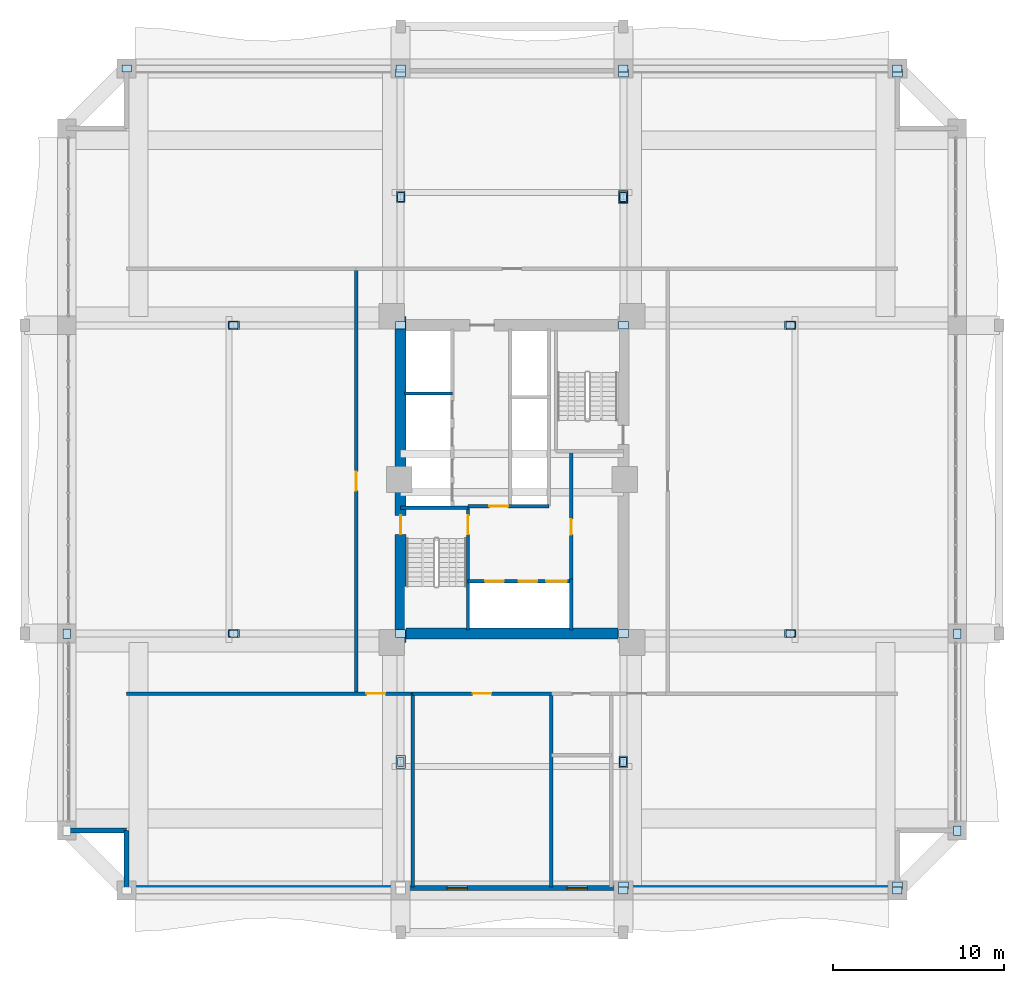
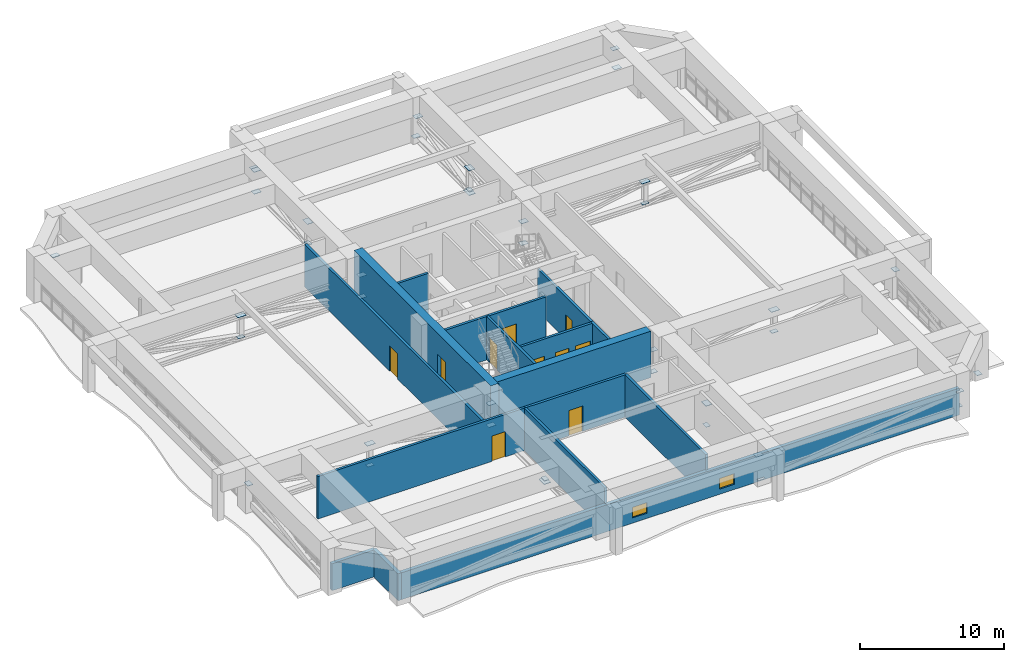
# One storey, part 28 of 35: 40 plates, 17 walls, 10 doors, 2 windows, 12 openings.
"""IFC4 building model written with IfcOpenShell, lengths in metres."""

from ifc_helpers import new_model, si_unit, direction, frame, frame_2d, origin, origin_2d, place, context, subcontext, project, spatial, rectangle, extrude, source, transform, mapped, material, layer, layer_set, type_object, element, fill, save


model = new_model("IFC4")

# Units and contexts
model_context = context("Model", 3, precision=1e-05, world=origin(), true_north=direction((0.0, 1.0)))
body_context = subcontext(model_context, "Body", "Model", "MODEL_VIEW")
ifc_project = project(units=[si_unit("LENGTHUNIT", "METRE"), si_unit("AREAUNIT", "SQUARE_METRE"), si_unit("VOLUMEUNIT", "CUBIC_METRE"), si_unit("PLANEANGLEUNIT", "RADIAN"), si_unit("MASSUNIT", "GRAM", prefix="KILO")], contexts=[model_context])

# Site, building, storey
site_placement = place(None, origin())
site = spatial("IfcSite", under=ifc_project, at=site_placement, CompositionType="ELEMENT")
building_placement = place(site_placement, origin())
building = spatial("IfcBuilding", under=site, at=building_placement, Name="Saelheon Loggia Tower", CompositionType="ELEMENT")
storey_placement = place(building_placement, frame((0.0, 0.0, 70.39990234375)))
storey = spatial("IfcBuildingStorey", under=building, at=storey_placement, Name="L22", CompositionType="ELEMENT", Elevation=70.39990234375)

# Plates
ifc_material_1 = material(Name="Steel SM355", Category="steel")
ifc_layer_1 = layer(ifc_material_1, 0.028076171875)
ifc_layer_set_1 = layer_set([ifc_layer_1], Name="Steel SM355")
plate_type_1 = type_object("IfcPlateType", Name="Plate_Gusset_GS1", PredefinedType="SHEET", material=ifc_layer_set_1)
shared_shape_1 = source(origin(), body_context, "Body", "SweptSolid", [
    extrude(rectangle(XDim=0.679931640625, YDim=0.47998046875, at=origin_2d()), origin(), (0.0, 0.0, 1.0), 0.028076171875),
])
for number, where, z_axis, x_axis, name in (
    (1, (44.5, 10.5, 2.05615234375), (0.0, 0.0, 1.0), (0.0, 1.0, 0.0), "L22 Outrigger Node Gusset SE-S"),
    (2, (31.5, 43.5, 2.05615234375), (0.0, 0.0, 1.0), (0.0, 1.0, 0.0), "L22 Outrigger Node Gusset NW-N"),
    (3, (44.5, 43.5, 2.05615234375), (0.0, 0.0, 1.0), (0.0, 1.0, 0.0), "L22 Outrigger Node Gusset NE-N"),
    (4, (21.75, 18.0, 2.05615234375), (0.0, 0.0, 1.0), (1.0, 0.0, 0.0), "L22 Outrigger Node Gusset SW-W"),
    (5, (21.75, 36.0, 2.05615234375), (0.0, 0.0, 1.0), (1.0, 0.0, 0.0), "L22 Outrigger Node Gusset NW-W"),
    (6, (54.25, 18.0, 2.05615234375), (0.0, 0.0, 1.0), (1.0, 0.0, 0.0), "L22 Outrigger Node Gusset SE-E"),
    (7, (54.25, 36.0, 2.05615234375), (0.0, 0.0, 1.0), (1.0, 0.0, 0.0), "L22 Outrigger Node Gusset NE-E"),
):
    element("IfcPlate", number, at=place(storey_placement, frame(where, z_axis=z_axis, x_axis=x_axis)), inside=storey, type_object=plate_type_1, Name=name, PredefinedType="SHEET", context=body_context, shape_type="MappedRepresentation", body=[
        mapped(shared_shape_1, transform((0.0, 0.0, 0.0), scale=1.0)),
    ])
ifc_layer_2 = layer(ifc_material_1, 0.02197265625)
ifc_layer_set_2 = layer_set([ifc_layer_2], Name="Steel SM355")
plate_type_2 = type_object("IfcPlateType", Name="Plate_Stiffener_SP1", PredefinedType="USERDEFINED", material=ifc_layer_set_2)
shared_shape_2 = source(origin(), body_context, "Body", "SweptSolid", [
    extrude(rectangle(XDim=0.52001953125, YDim=0.360107421875, at=origin_2d()), origin(), (0.0, 0.0, 1.0), 0.02197265625),
])
for number, where, z_axis, x_axis, name in (
    (8, (31.5, 10.5, 0.209228515625), (0.0, 0.0, 1.0), (0.0, 1.0, 0.0), "L22 Outrigger Stiffener Plate SW-S"),
    (9, (44.5, 10.5, 0.209228515625), (0.0, 0.0, 1.0), (0.0, 1.0, 0.0), "L22 Outrigger Stiffener Plate SE-S"),
    (10, (31.5, 43.5, 0.209228515625), (0.0, 0.0, 1.0), (0.0, 1.0, 0.0), "L22 Outrigger Stiffener Plate NW-N"),
    (11, (44.5, 43.5, 0.209228515625), (0.0, 0.0, 1.0), (0.0, 1.0, 0.0), "L22 Outrigger Stiffener Plate NE-N"),
    (12, (21.75, 18.0, 0.209228515625), (0.0, 0.0, 1.0), (1.0, 0.0, 0.0), "L22 Outrigger Stiffener Plate SW-W"),
    (13, (21.75, 36.0, 0.209228515625), (0.0, 0.0, 1.0), (1.0, 0.0, 0.0), "L22 Outrigger Stiffener Plate NW-W"),
    (14, (54.25, 18.0, 0.209228515625), (0.0, 0.0, 1.0), (1.0, 0.0, 0.0), "L22 Outrigger Stiffener Plate SE-E"),
    (15, (54.25, 36.0, 0.209228515625), (0.0, 0.0, 1.0), (1.0, 0.0, 0.0), "L22 Outrigger Stiffener Plate NE-E"),
):
    element("IfcPlate", number, at=place(storey_placement, frame(where, z_axis=z_axis, x_axis=x_axis)), inside=storey, type_object=plate_type_2, Name=name, ObjectType="STIFFENER_PLATE", PredefinedType="USERDEFINED", context=body_context, shape_type="MappedRepresentation", body=[
        mapped(shared_shape_2, transform((0.0, 0.0, 0.0), scale=1.0)),
    ])
ifc_layer_3 = layer(ifc_material_1, 0.031982421875)
ifc_layer_set_3 = layer_set([ifc_layer_3], Name="Steel SM355")
plate_type_3 = type_object("IfcPlateType", Name="Outrigger_BasePlate_BP2", PredefinedType="USERDEFINED", material=ifc_layer_set_3)
shared_shape_3 = source(origin(), body_context, "Body", "SweptSolid", [
    extrude(rectangle(XDim=0.760009765625, YDim=0.5400390625, at=origin_2d()), origin(), (0.0, 0.0, 1.0), 0.031982421875),
])
for number, where, z_axis, x_axis, name in (
    (16, (31.5, 10.5, 0.0), (0.0, 0.0, 1.0), (0.0, 1.0, 0.0), "L22 Outrigger Post Base Plate SW-S"),
    (17, (44.5, 43.5, 0.0), (0.0, 0.0, 1.0), (0.0, 1.0, 0.0), "L22 Outrigger Post Base Plate NE-N"),
):
    element("IfcPlate", number, at=place(storey_placement, frame(where, z_axis=z_axis, x_axis=x_axis)), inside=storey, type_object=plate_type_3, Name=name, ObjectType="BASE_PLATE", PredefinedType="USERDEFINED", context=body_context, shape_type="MappedRepresentation", body=[
        mapped(shared_shape_3, transform((0.0, 0.0, 0.0), scale=1.0)),
    ])
ifc_layer_4 = layer(ifc_material_1, 0.02587890625)
ifc_layer_set_4 = layer_set([ifc_layer_4], Name="Steel SM355")
plate_type_4 = type_object("IfcPlateType", Name="Plate_Embed_EP1", PredefinedType="SHEET", material=ifc_layer_set_4)
shared_shape_4 = source(origin(), body_context, "Body", "SweptSolid", [
    extrude(rectangle(XDim=0.580078125, YDim=0.4599609375, at=origin_2d()), origin(), (0.0, 0.0, 1.0), 0.02587890625),
])
for number, where, z_axis, x_axis, name in (
    (18, (31.5, 18.0, 0.207275390625), (0.0, 0.0, 1.0), (1.0, 0.0, 0.0), "L22 Core Wall Outrigger Cast-In Embed Plate SW-B"),
    (19, (31.5, 18.0, 2.05712890625), (0.0, 0.0, 1.0), (1.0, 0.0, 0.0), "L22 Core Wall Outrigger Cast-In Embed Plate SW-T"),
    (20, (44.5, 18.0, 0.207275390625), (0.0, 0.0, 1.0), (1.0, 0.0, 0.0), "L22 Core Wall Outrigger Cast-In Embed Plate SE-B"),
    (21, (44.5, 18.0, 2.05712890625), (0.0, 0.0, 1.0), (1.0, 0.0, 0.0), "L22 Core Wall Outrigger Cast-In Embed Plate SE-T"),
    (22, (31.5, 36.0, 0.207275390625), (0.0, 0.0, 1.0), (1.0, 0.0, 0.0), "L22 Core Wall Outrigger Cast-In Embed Plate NW-B"),
    (23, (31.5, 36.0, 2.05712890625), (0.0, 0.0, 1.0), (1.0, 0.0, 0.0), "L22 Core Wall Outrigger Cast-In Embed Plate NW-T"),
    (24, (44.5, 36.0, 0.207275390625), (0.0, 0.0, 1.0), (1.0, 0.0, 0.0), "L22 Core Wall Outrigger Cast-In Embed Plate NE-B"),
    (25, (44.5, 36.0, 2.05712890625), (0.0, 0.0, 1.0), (1.0, 0.0, 0.0), "L22 Core Wall Outrigger Cast-In Embed Plate NE-T"),
    (26, (44.5, 3.280029296875, 2.05712890625), (0.0, 0.0, 1.0), (1.0, 0.0, 0.0), "L22 Perimeter Wall Outrigger Embed Plate SE-T"),
    (27, (31.5, 50.719970703125, 0.207275390625), (0.0, 0.0, 1.0), (1.0, 0.0, 0.0), "L22 Perimeter Wall Outrigger Embed Plate NW-B"),
    (28, (44.5, 50.719970703125, 2.05712890625), (0.0, 0.0, 1.0), (1.0, 0.0, 0.0), "L22 Perimeter Wall Outrigger Embed Plate NE-T"),
    (29, (31.5, 50.719970703125, 2.05712890625), (0.0, 0.0, 1.0), (1.0, 0.0, 0.0), "L22 Perimeter Wall Outrigger Embed Plate NW-T"),
    (30, (60.5, 3.280029296875, 0.607177734375), (0.0, 0.0, 1.0), (1.0, 0.0, 0.0), "L22 Perimeter Wall Outrigger Embed Plate BS2-E"),
    (31, (60.5, 50.719970703125, 0.607177734375), (0.0, 0.0, 1.0), (1.0, 0.0, 0.0), "L22 Perimeter Wall Outrigger Embed Plate BN2-E"),
):
    element("IfcPlate", number, at=place(storey_placement, frame(where, z_axis=z_axis, x_axis=x_axis)), inside=storey, type_object=plate_type_4, Name=name, PredefinedType="SHEET", context=body_context, shape_type="MappedRepresentation", body=[
        mapped(shared_shape_4, transform((0.0, 0.0, 0.0), scale=1.0)),
    ])
ifc_layer_5 = layer(ifc_material_1, 0.02490234375)
ifc_layer_set_5 = layer_set([ifc_layer_5], Name="Steel SM355")
plate_type_5 = type_object("IfcPlateType", Name="Plate_EndCap_FP1", PredefinedType="USERDEFINED", material=ifc_layer_set_5)
shared_shape_5 = source(origin(), body_context, "Body", "SweptSolid", [
    extrude(rectangle(XDim=0.56005859375, YDim=0.419921875, at=origin_2d()), origin(), (0.0, 0.0, 1.0), 0.02490234375),
])
for number, where, z_axis, x_axis, name in (
    (32, (44.5, 3.0, 0.207763671875), (0.0, 0.0, 1.0), (1.0, 0.0, 0.0), "L22 Hollow End Cap Plate BS2 A"),
    (33, (60.5, 3.0, 2.0576171875), (0.0, 0.0, 1.0), (1.0, 0.0, 0.0), "L22 Hollow End Cap Plate BS2 B"),
    (34, (15.5, 51.0, 0.207763671875), (0.0, 0.0, 1.0), (1.0, 0.0, 0.0), "L22 Hollow End Cap Plate BN1 A"),
    (35, (31.5, 51.0, 2.0576171875), (0.0, 0.0, 1.0), (1.0, 0.0, 0.0), "L22 Hollow End Cap Plate BN1 B"),
    (36, (44.5, 51.0, 0.207763671875), (0.0, 0.0, 1.0), (1.0, 0.0, 0.0), "L22 Hollow End Cap Plate BN2 A"),
    (37, (60.5, 51.0, 2.0576171875), (0.0, 0.0, 1.0), (1.0, 0.0, 0.0), "L22 Hollow End Cap Plate BN2 B"),
    (38, (12.0, 18.0, 2.0576171875), (0.0, 0.0, 1.0), (0.0, 1.0, 0.0), "L22 Hollow End Cap Plate BW1 B"),
    (39, (64.0, 6.5, 0.207763671875), (0.0, 0.0, 1.0), (0.0, 1.0, 0.0), "L22 Hollow End Cap Plate BE1 A"),
    (40, (64.0, 18.0, 2.0576171875), (0.0, 0.0, 1.0), (0.0, 1.0, 0.0), "L22 Hollow End Cap Plate BE1 B"),
):
    element("IfcPlate", number, at=place(storey_placement, frame(where, z_axis=z_axis, x_axis=x_axis)), inside=storey, type_object=plate_type_5, Name=name, ObjectType="FLANGE_PLATE", PredefinedType="USERDEFINED", context=body_context, shape_type="MappedRepresentation", body=[
        mapped(shared_shape_5, transform((0.0, 0.0, 0.0), scale=1.0)),
    ])

# Wall, opening, door
ifc_material_2 = material(Name="Concrete C60/75", Category="concrete")
ifc_layer_6 = layer(ifc_material_2, 0.64990234375)
ifc_layer_set_6 = layer_set([ifc_layer_6], Name="Concrete C60/75")
wall_type_1 = type_object("IfcWallType", Name="Wall_CoreShear_650", PredefinedType="SHEAR", material=ifc_layer_set_6)
wall_1_placement = place(storey_placement, frame((31.5, 17.47998046875, 0.0), z_axis=(0.0, 0.0, 1.0), x_axis=(0.0, 1.0, 0.0)))
wall_1 = element("IfcWall", 41, at=wall_1_placement, inside=storey, type_object=wall_type_1, Name="L22 Core Shear Wall West", PredefinedType="SHEAR", context=body_context, shape_type="SweptSolid", body=[
    extrude(rectangle(XDim=19.0400390625, YDim=0.64990234375, at=frame_2d((9.52001953125, 0.0))), origin(), (0.0, 0.0, 1.0), 3.9501953125),
])
opening_1_placement = place(wall_1_placement, frame((6.320068359375, 0.0, 0.0)))
opening_1 = element("IfcOpeningElement", 42, at=opening_1_placement, cuts=wall_1, Name="Opening D-FD2", PredefinedType="OPENING", context=body_context, shape_type="SweptSolid", body=[
    extrude(rectangle(XDim=1.10009765625, YDim=2.14990234375, at=frame_2d((0.550048828125, 1.074951171875))), frame((0.0, 0.3369140625, 0.0), z_axis=(0.0, -1.0, 0.0), x_axis=(1.0, 0.0, 0.0)), (0.0, 0.0, 1.0), 0.673828125),
])
ifc_material_3 = material(Name="Galvanised Steel Fire Door", Category="steel")
door_type_1 = type_object("IfcDoorType", Name="Door_Fire_FD60_1100", OperationType="NOTDEFINED", PredefinedType="DOOR", material=ifc_material_3)
shared_shape_6 = source(origin(), body_context, "Body", "SweptSolid", [
    extrude(rectangle(XDim=1.10009765625, YDim=2.14990234375, at=frame_2d((0.550048828125, 1.074951171875))), frame((0.0, 0.02490234375, 0.0), z_axis=(0.0, -1.0, 0.0), x_axis=(1.0, 0.0, 0.0)), (0.0, 0.0, 1.0), 0.050048828125),
])
door_1_placement = place(opening_1_placement, origin())
door_1 = element("IfcDoor", 43, at=door_1_placement, inside=storey, type_object=door_type_1, Name="L22 Stair ST1 Corridor Door", OperationType="SINGLE_SWING_LEFT", OverallHeight=2.14990234375, OverallWidth=1.10009765625, PredefinedType="DOOR", context=body_context, shape_type="MappedRepresentation", body=[
    mapped(shared_shape_6, transform((0.0, 0.0, 0.0), scale=1.0)),
])
fill(opening_1, door_1)

# Wall
wall_2_placement = place(storey_placement, frame((31.824951171875, 18.0, 0.0), z_axis=(0.0, 0.0, 1.0), x_axis=(1.0, 0.0, 0.0)))
element("IfcWall", 44, at=wall_2_placement, inside=storey, type_object=wall_type_1, Name="L22 Core Shear Wall South", PredefinedType="SHEAR", context=body_context, shape_type="SweptSolid", body=[
    extrude(rectangle(XDim=12.35009765625, YDim=0.64990234375, at=frame_2d((6.175048828125, 0.0))), origin(), (0.0, 0.0, 1.0), 3.9501953125),
])

# Wall, openings, windows
ifc_material_4 = material(Name="Architectural Precast Concrete C40/50", Category="concrete")
ifc_layer_7 = layer(ifc_material_4, 0.280029296875)
ifc_layer_set_7 = layer_set([ifc_layer_7], Name="Architectural Precast Concrete C40/50")
wall_type_2 = type_object("IfcWallType", Name="Wall_Ext_Loggia_280", PredefinedType="SOLIDWALL", material=ifc_layer_set_7)
wall_3_placement = place(storey_placement, frame((15.5, 3.139892578125, 0.0), z_axis=(0.0, 0.0, 1.0), x_axis=(1.0, 0.0, 0.0)))
wall_3 = element("IfcWall", 45, at=wall_3_placement, inside=storey, type_object=wall_type_2, Name="L22 Refuge South Wall", PredefinedType="SOLIDWALL", context=body_context, shape_type="SweptSolid", body=[
    extrude(rectangle(XDim=45.0, YDim=0.280029296875, at=frame_2d((22.5, 0.0))), origin(), (0.0, 0.0, 1.0), 2.2900390625),
])
opening_2_placement = place(wall_3_placement, frame((18.699951171875, 0.0, 0.449951171875)))
opening_2 = element("IfcOpeningElement", 46, at=opening_2_placement, cuts=wall_3, Name="Opening WN-07", PredefinedType="OPENING", context=body_context, shape_type="SweptSolid", body=[
    extrude(rectangle(XDim=1.199951171875, YDim=0.89990234375, at=frame_2d((0.60009765625, 0.449951171875))), frame((0.0, 0.152099609375, 0.0), z_axis=(0.0, -1.0, 0.0), x_axis=(1.0, 0.0, 0.0)), (0.0, 0.0, 1.0), 0.303955078125),
])
opening_3_placement = place(wall_3_placement, frame((25.699951171875, 0.0, 0.449951171875)))
opening_3 = element("IfcOpeningElement", 47, at=opening_3_placement, cuts=wall_3, Name="Opening WN-07", PredefinedType="OPENING", context=body_context, shape_type="SweptSolid", body=[
    extrude(rectangle(XDim=1.199951171875, YDim=0.89990234375, at=frame_2d((0.60009765625, 0.449951171875))), frame((0.0, 0.152099609375, 0.0), z_axis=(0.0, -1.0, 0.0), x_axis=(1.0, 0.0, 0.0)), (0.0, 0.0, 1.0), 0.303955078125),
])
ifc_material_5 = material(Name="Thermal-Break Aluminium and Triple Low-E Glass", Category="aluminium")
window_type = type_object("IfcWindowType", Name="Win_Clerestory_1200x900", PartitioningType="SINGLE_PANEL", PredefinedType="WINDOW", material=ifc_material_5)
shared_shape_7 = source(origin(), body_context, "Body", "SweptSolid", [
    extrude(rectangle(XDim=1.199951171875, YDim=0.89990234375, at=frame_2d((0.60009765625, 0.449951171875))), frame((0.0, 0.030029296875, 0.0), z_axis=(0.0, -1.0, 0.0), x_axis=(1.0, 0.0, 0.0)), (0.0, 0.0, 1.0), 0.06005859375),
])
window_1_placement = place(opening_2_placement, origin())
window_1 = element("IfcWindow", 48, at=window_1_placement, inside=storey, type_object=window_type, Name="L22 Refuge Area Window 1", OverallHeight=0.89990234375, OverallWidth=1.199951171875, PartitioningType="SINGLE_PANEL", PredefinedType="WINDOW", context=body_context, shape_type="MappedRepresentation", body=[
    mapped(shared_shape_7, transform((0.0, 0.0, 0.0), scale=1.0)),
])
fill(opening_2, window_1)
window_2_placement = place(opening_3_placement, origin())
window_2 = element("IfcWindow", 49, at=window_2_placement, inside=storey, type_object=window_type, Name="L22 Refuge Area Window 2", OverallHeight=0.89990234375, OverallWidth=1.199951171875, PartitioningType="SINGLE_PANEL", PredefinedType="WINDOW", context=body_context, shape_type="MappedRepresentation", body=[
    mapped(shared_shape_7, transform((0.0, 0.0, 0.0), scale=1.0)),
])
fill(opening_3, window_2)

# Walls
for number, where, z_axis, x_axis, name in (
    (50, (15.5, 3.0, 0.0), (0.0, 0.0, 1.0), (0.0, 1.0, 0.0), "L22 Notch Wall SW1"),
    (51, (12.0, 6.5, 0.0), (0.0, 0.0, 1.0), (1.0, 0.0, 0.0), "L22 Notch Wall SW2"),
):
    element("IfcWall", number, at=place(storey_placement, frame(where, z_axis=z_axis, x_axis=x_axis)), inside=storey, type_object=wall_type_2, Name=name, PredefinedType="SOLIDWALL", context=body_context, shape_type="SweptSolid", body=[
        extrude(rectangle(XDim=3.5, YDim=0.280029296875, at=frame_2d((1.75, 0.0))), origin(), (0.0, 0.0, 1.0), 2.2900390625),
    ])
ifc_material_6 = material(Name="Concrete C40/50", Category="concrete")
ifc_layer_8 = layer(ifc_material_6, 0.199951171875)
ifc_layer_set_8 = layer_set([ifc_layer_8], Name="Concrete C40/50")
wall_type_3 = type_object("IfcWallType", Name="Wall_Shaft_200", PredefinedType="PARTITIONING", material=ifc_layer_set_8)
wall_4_placement = place(storey_placement, frame((41.449951171875, 18.219970703125, 0.0), z_axis=(0.0, 0.0, 1.0), x_axis=(0.0, 1.0, 0.0)))
element("IfcWall", 52, at=wall_4_placement, inside=storey, type_object=wall_type_3, Name="CW-INT-L22-BOH-W0", PredefinedType="PARTITIONING", context=body_context, shape_type="SweptSolid", body=[
    extrude(rectangle(XDim=2.9599609375, YDim=0.199951171875, at=frame_2d((1.47998046875, 0.0))), origin(), (0.0, 0.0, 1.0), 3.610107421875),
])

# Wall, opening, door
wall_5_placement = place(storey_placement, frame((41.449951171875, 21.179931640625, 0.0), z_axis=(0.0, 0.0, 1.0), x_axis=(0.0, 1.0, 0.0)))
wall_5 = element("IfcWall", 53, at=wall_5_placement, inside=storey, type_object=wall_type_3, Name="CW-INT-L22-BOH-W1", PredefinedType="PARTITIONING", context=body_context, shape_type="SweptSolid", body=[
    extrude(rectangle(XDim=7.420166015625, YDim=0.199951171875, at=frame_2d((3.7099609375, 0.0))), origin(), (0.0, 0.0, 1.0), 3.610107421875),
])
opening_4_placement = place(wall_5_placement, frame((2.60009765625, 0.0, 0.0)))
opening_4 = element("IfcOpeningElement", 54, at=opening_4_placement, cuts=wall_5, Name="Opening D-RS1", PredefinedType="OPENING", context=body_context, shape_type="SweptSolid", body=[
    extrude(rectangle(XDim=0.89990234375, YDim=2.10009765625, at=frame_2d((0.449951171875, 1.050048828125))), frame((0.0, 0.112060546875, 0.0), z_axis=(0.0, -1.0, 0.0), x_axis=(1.0, 0.0, 0.0)), (0.0, 0.0, 1.0), 0.223876953125),
])
ifc_material_7 = material(Name="Galvanised Steel Riser Access Door", Category="steel")
door_type_2 = type_object("IfcDoorType", Name="Door_Riser_FD60", OperationType="NOTDEFINED", PredefinedType="DOOR", material=ifc_material_7)
shared_shape_8 = source(origin(), body_context, "Body", "SweptSolid", [
    extrude(rectangle(XDim=0.89990234375, YDim=2.10009765625, at=frame_2d((0.449951171875, 1.050048828125))), frame((0.0, 0.02490234375, 0.0), z_axis=(0.0, -1.0, 0.0), x_axis=(1.0, 0.0, 0.0)), (0.0, 0.0, 1.0), 0.050048828125),
])
door_2_placement = place(opening_4_placement, origin())
door_2 = element("IfcDoor", 55, at=door_2_placement, inside=storey, type_object=door_type_2, Name="L22 Core Service Store Door", OperationType="SINGLE_SWING_LEFT", OverallHeight=2.10009765625, OverallWidth=0.89990234375, PredefinedType="DOOR", context=body_context, shape_type="MappedRepresentation", body=[
    mapped(shared_shape_8, transform((0.0, 0.0, 0.0), scale=1.0)),
])
fill(opening_4, door_2)

# Wall, openings, doors
wall_6_placement = place(storey_placement, frame((35.429931640625, 21.06005859375, 0.0), z_axis=(0.0, 0.0, 1.0), x_axis=(1.0, 0.0, 0.0)))
wall_6 = element("IfcWall", 56, at=wall_6_placement, inside=storey, type_object=wall_type_3, Name="L22 Firefighting Lift Shaft Front Wall", PredefinedType="PARTITIONING", context=body_context, shape_type="SweptSolid", body=[
    extrude(rectangle(XDim=6.02001953125, YDim=0.199951171875, at=frame_2d((3.010009765625, 0.0))), origin(), (0.0, 0.0, 1.0), 3.610107421875),
])
opening_5_placement = place(wall_6_placement, frame((1.0, 0.0, 0.0)))
opening_5 = element("IfcOpeningElement", 57, at=opening_5_placement, cuts=wall_6, Name="Opening LD2", PredefinedType="OPENING", context=body_context, shape_type="SweptSolid", body=[
    extrude(rectangle(XDim=1.10009765625, YDim=2.14990234375, at=frame_2d((0.550048828125, 1.074951171875))), frame((0.0, 0.112060546875, 0.0), z_axis=(0.0, -1.0, 0.0), x_axis=(1.0, 0.0, 0.0)), (0.0, 0.0, 1.0), 0.223876953125),
])
opening_6_placement = place(wall_6_placement, frame((2.949951171875, 0.0, 0.0)))
opening_6 = element("IfcOpeningElement", 58, at=opening_6_placement, cuts=wall_6, Name="Opening LD2", PredefinedType="OPENING", context=body_context, shape_type="SweptSolid", body=[
    extrude(rectangle(XDim=1.10009765625, YDim=2.14990234375, at=frame_2d((0.550048828125, 1.074951171875))), frame((0.0, 0.112060546875, 0.0), z_axis=(0.0, -1.0, 0.0), x_axis=(1.0, 0.0, 0.0)), (0.0, 0.0, 1.0), 0.223876953125),
])
opening_7_placement = place(wall_6_placement, frame((4.580078125, 0.0, 0.0)))
opening_7 = element("IfcOpeningElement", 59, at=opening_7_placement, cuts=wall_6, Name="Opening LD3", PredefinedType="OPENING", context=body_context, shape_type="SweptSolid", body=[
    extrude(rectangle(XDim=1.199951171875, YDim=2.14990234375, at=frame_2d((0.60009765625, 1.074951171875))), frame((0.0, 0.112060546875, 0.0), z_axis=(0.0, -1.0, 0.0), x_axis=(1.0, 0.0, 0.0)), (0.0, 0.0, 1.0), 0.223876953125),
])
ifc_material_8 = material(Name="Firefighting Stainless Steel 316 Landing Door", Category="steel")
door_type_3 = type_object("IfcDoorType", Name="Door_Lift_LD2", OperationType="DOUBLE_DOOR_SLIDING", PredefinedType="DOOR", material=ifc_material_8)
door_3_placement = place(opening_5_placement, origin())
door_3 = element("IfcDoor", 60, at=door_3_placement, inside=storey, type_object=door_type_3, Name="L22 FF1 Landing Door", OperationType="DOUBLE_DOOR_SLIDING", OverallHeight=2.14990234375, OverallWidth=1.10009765625, PredefinedType="DOOR", context=body_context, shape_type="MappedRepresentation", body=[
    mapped(shared_shape_6, transform((0.0, 0.0, 0.0), scale=1.0)),
])
fill(opening_5, door_3)
door_4_placement = place(opening_6_placement, origin())
door_4 = element("IfcDoor", 61, at=door_4_placement, inside=storey, type_object=door_type_3, Name="L22 FF2 Landing Door", OperationType="DOUBLE_DOOR_SLIDING", OverallHeight=2.14990234375, OverallWidth=1.10009765625, PredefinedType="DOOR", context=body_context, shape_type="MappedRepresentation", body=[
    mapped(shared_shape_6, transform((0.0, 0.0, 0.0), scale=1.0)),
])
fill(opening_6, door_4)
ifc_material_9 = material(Name="Stretcher Lift Stainless Steel 304 Landing Door", Category="steel")
door_type_4 = type_object("IfcDoorType", Name="Door_Lift_LD3", OperationType="DOUBLE_DOOR_SLIDING", PredefinedType="DOOR", material=ifc_material_9)
shared_shape_9 = source(origin(), body_context, "Body", "SweptSolid", [
    extrude(rectangle(XDim=1.199951171875, YDim=2.14990234375, at=frame_2d((0.60009765625, 1.074951171875))), frame((0.0, 0.02490234375, 0.0), z_axis=(0.0, -1.0, 0.0), x_axis=(1.0, 0.0, 0.0)), (0.0, 0.0, 1.0), 0.050048828125),
])
door_5_placement = place(opening_7_placement, origin())
door_5 = element("IfcDoor", 62, at=door_5_placement, inside=storey, type_object=door_type_4, Name="L22 SV1 Landing Door", OperationType="DOUBLE_DOOR_SLIDING", OverallHeight=2.14990234375, OverallWidth=1.199951171875, PredefinedType="DOOR", context=body_context, shape_type="MappedRepresentation", body=[
    mapped(shared_shape_9, transform((0.0, 0.0, 0.0), scale=1.0)),
])
fill(opening_7, door_5)

# Wall, opening, door
wall_7_placement = place(storey_placement, frame((35.429931640625, 25.43994140625, 0.0), z_axis=(0.0, 0.0, 1.0), x_axis=(1.0, 0.0, 0.0)))
wall_7 = element("IfcWall", 63, at=wall_7_placement, inside=storey, type_object=wall_type_3, Name="L22 Firefighting Lobby Compartment Wall", PredefinedType="PARTITIONING", context=body_context, shape_type="SweptSolid", body=[
    extrude(rectangle(XDim=4.719970703125, YDim=0.199951171875, at=frame_2d((2.35986328125, 0.0))), origin(), (0.0, 0.0, 1.0), 3.610107421875),
])
opening_8_placement = place(wall_7_placement, frame((1.25, 0.0, 0.0)))
opening_8 = element("IfcOpeningElement", 64, at=opening_8_placement, cuts=wall_7, Name="Opening D-FD2", PredefinedType="OPENING", context=body_context, shape_type="SweptSolid", body=[
    extrude(rectangle(XDim=1.10009765625, YDim=2.14990234375, at=frame_2d((0.550048828125, 1.074951171875))), frame((0.0, 0.112060546875, 0.0), z_axis=(0.0, -1.0, 0.0), x_axis=(1.0, 0.0, 0.0)), (0.0, 0.0, 1.0), 0.223876953125),
])
door_6_placement = place(opening_8_placement, origin())
door_6 = element("IfcDoor", 65, at=door_6_placement, inside=storey, type_object=door_type_1, Name="L22 Firefighting Lobby Door", OperationType="SINGLE_SWING_RIGHT", OverallHeight=2.14990234375, OverallWidth=1.10009765625, PredefinedType="DOOR", context=body_context, shape_type="MappedRepresentation", body=[
    mapped(shared_shape_6, transform((0.0, 0.0, 0.0), scale=1.0)),
])
fill(opening_8, door_6)

# Wall
wall_8_placement = place(storey_placement, frame((31.719970703125, 32.02001953125, 0.0), z_axis=(0.0, 0.0, 1.0), x_axis=(1.0, 0.0, 0.0)))
element("IfcWall", 66, at=wall_8_placement, inside=storey, type_object=wall_type_3, Name="L22 West High-Rise Shaft Divider", PredefinedType="PARTITIONING", context=body_context, shape_type="SweptSolid", body=[
    extrude(rectangle(XDim=2.800048828125, YDim=0.199951171875, at=frame_2d((1.39990234375, 0.0))), origin(), (0.0, 0.0, 1.0), 3.610107421875),
])

# Wall, opening, door
wall_9_placement = place(storey_placement, frame((15.5, 14.5, 0.0), z_axis=(0.0, 0.0, 1.0), x_axis=(1.0, 0.0, 0.0)))
wall_9 = element("IfcWall", 67, at=wall_9_placement, inside=storey, type_object=wall_type_3, Name="PW-L22-RFG-SW", PredefinedType="PARTITIONING", context=body_context, shape_type="SweptSolid", body=[
    extrude(rectangle(XDim=16.699951171875, YDim=0.199951171875, at=frame_2d((8.35009765625, 0.0))), origin(), (0.0, 0.0, 1.0), 3.610107421875),
])
opening_9_placement = place(wall_9_placement, frame((14.0, 0.0, 0.0)))
opening_9 = element("IfcOpeningElement", 68, at=opening_9_placement, cuts=wall_9, Name="Opening D-FD2", PredefinedType="OPENING", context=body_context, shape_type="SweptSolid", body=[
    extrude(rectangle(XDim=1.10009765625, YDim=2.14990234375, at=frame_2d((0.550048828125, 1.074951171875))), frame((0.0, 0.112060546875, 0.0), z_axis=(0.0, -1.0, 0.0), x_axis=(1.0, 0.0, 0.0)), (0.0, 0.0, 1.0), 0.223876953125),
])
door_7_placement = place(opening_9_placement, origin())
door_7 = element("IfcDoor", 69, at=door_7_placement, inside=storey, type_object=door_type_1, Name="L22 Plant Bay SW Door", OperationType="SINGLE_SWING_RIGHT", OverallHeight=2.14990234375, OverallWidth=1.10009765625, PredefinedType="DOOR", context=body_context, shape_type="MappedRepresentation", body=[
    mapped(shared_shape_6, transform((0.0, 0.0, 0.0), scale=1.0)),
])
fill(opening_9, door_7)

wall_10_placement = place(storey_placement, frame((32.199951171875, 14.5, 0.0), z_axis=(0.0, 0.0, 1.0), x_axis=(1.0, 0.0, 0.0)))
wall_10 = element("IfcWall", 70, at=wall_10_placement, inside=storey, type_object=wall_type_3, Name="PW-L22-RFG-SC1", PredefinedType="PARTITIONING", context=body_context, shape_type="SweptSolid", body=[
    extrude(rectangle(XDim=8.10009765625, YDim=0.199951171875, at=frame_2d((4.050048828125, 0.0))), origin(), (0.0, 0.0, 1.0), 3.610107421875),
])
opening_10_placement = place(wall_10_placement, frame((3.5, 0.0, 0.0)))
opening_10 = element("IfcOpeningElement", 71, at=opening_10_placement, cuts=wall_10, Name="Opening D-FD2", PredefinedType="OPENING", context=body_context, shape_type="SweptSolid", body=[
    extrude(rectangle(XDim=1.10009765625, YDim=2.14990234375, at=frame_2d((0.550048828125, 1.074951171875))), frame((0.0, 0.112060546875, 0.0), z_axis=(0.0, -1.0, 0.0), x_axis=(1.0, 0.0, 0.0)), (0.0, 0.0, 1.0), 0.223876953125),
])
door_8_placement = place(opening_10_placement, origin())
door_8 = element("IfcDoor", 72, at=door_8_placement, inside=storey, type_object=door_type_1, Name="L22 Refuge Area Entry Door", OperationType="SINGLE_SWING_LEFT", OverallHeight=2.14990234375, OverallWidth=1.10009765625, PredefinedType="DOOR", context=body_context, shape_type="MappedRepresentation", body=[
    mapped(shared_shape_6, transform((0.0, 0.0, 0.0), scale=1.0)),
])
fill(opening_10, door_8)

# Walls
for number, where, z_axis, x_axis, name in (
    (73, (32.199951171875, 3.199951171875, 0.0), (0.0, 0.0, 1.0), (0.0, 1.0, 0.0), "PW-L22-RFG-VL"),
    (74, (40.300048828125, 3.199951171875, 0.0), (0.0, 0.0, 1.0), (0.0, 1.0, 0.0), "PW-L22-RFG-VM"),
):
    element("IfcWall", number, at=place(storey_placement, frame(where, z_axis=z_axis, x_axis=x_axis)), inside=storey, type_object=wall_type_3, Name=name, PredefinedType="PARTITIONING", context=body_context, shape_type="SweptSolid", body=[
        extrude(rectangle(XDim=11.300048828125, YDim=0.199951171875, at=frame_2d((5.64990234375, 0.0))), origin(), (0.0, 0.0, 1.0), 3.610107421875),
    ])

# Wall, opening, door
wall_11_placement = place(storey_placement, frame((28.89990234375, 14.5, 0.0), z_axis=(0.0, 0.0, 1.0), x_axis=(0.0, 1.0, 0.0)))
wall_11 = element("IfcWall", 75, at=wall_11_placement, inside=storey, type_object=wall_type_3, Name="PW-L22-AHU-W", PredefinedType="PARTITIONING", context=body_context, shape_type="SweptSolid", body=[
    extrude(rectangle(XDim=24.800048828125, YDim=0.199951171875, at=frame_2d((12.39990234375, 0.0))), origin(), (0.0, 0.0, 1.0), 3.610107421875),
])
opening_11_placement = place(wall_11_placement, frame((11.85009765625, 0.0, 0.0)))
opening_11 = element("IfcOpeningElement", 76, at=opening_11_placement, cuts=wall_11, Name="Opening D-FD2", PredefinedType="OPENING", context=body_context, shape_type="SweptSolid", body=[
    extrude(rectangle(XDim=1.10009765625, YDim=2.14990234375, at=frame_2d((0.550048828125, 1.074951171875))), frame((0.0, 0.112060546875, 0.0), z_axis=(0.0, -1.0, 0.0), x_axis=(1.0, 0.0, 0.0)), (0.0, 0.0, 1.0), 0.223876953125),
])
door_9_placement = place(opening_11_placement, origin())
door_9 = element("IfcDoor", 77, at=door_9_placement, inside=storey, type_object=door_type_1, Name="L22 AHU Plant Room Door", OperationType="SINGLE_SWING_LEFT", OverallHeight=2.14990234375, OverallWidth=1.10009765625, PredefinedType="DOOR", context=body_context, shape_type="MappedRepresentation", body=[
    mapped(shared_shape_6, transform((0.0, 0.0, 0.0), scale=1.0)),
])
fill(opening_11, door_9)

ifc_material_10 = material(Name="Concrete C45/55", Category="concrete")
ifc_layer_9 = layer(ifc_material_10, 0.199951171875)
ifc_layer_set_9 = layer_set([ifc_layer_9], Name="Concrete C45/55")
wall_type_4 = type_object("IfcWallType", Name="Wall_StairShaft_RC200", PredefinedType="SOLIDWALL", material=ifc_layer_set_9)
wall_12_placement = place(storey_placement, frame((35.429931640625, 18.219970703125, 0.0), z_axis=(0.0, 0.0, 1.0), x_axis=(0.0, 1.0, 0.0)))
wall_12 = element("IfcWall", 78, at=wall_12_placement, inside=storey, type_object=wall_type_4, Name="L22 Stair ST1 Shaft Wall", PredefinedType="SOLIDWALL", context=body_context, shape_type="SweptSolid", body=[
    extrude(rectangle(XDim=7.219970703125, YDim=0.199951171875, at=frame_2d((3.60986328125, 0.0))), origin(), (0.0, 0.0, 1.0), 3.690185546875),
])
opening_12_placement = place(wall_12_placement, frame((6.68017578125, 0.0, 0.0), z_axis=(0.0, 0.0, 1.0), x_axis=(-1.0, 0.0, 0.0)))
opening_12 = element("IfcOpeningElement", 79, at=opening_12_placement, cuts=wall_12, Name="Opening D-FD2", PredefinedType="OPENING", context=body_context, shape_type="SweptSolid", body=[
    extrude(rectangle(XDim=1.10009765625, YDim=2.14990234375, at=frame_2d((0.550048828125, 1.074951171875))), frame((0.0, 0.112060546875, 0.0), z_axis=(0.0, -1.0, 0.0), x_axis=(1.0, 0.0, 0.0)), (0.0, 0.0, 1.0), 0.223876953125),
])
door_10_placement = place(opening_12_placement, origin())
door_10 = element("IfcDoor", 80, at=door_10_placement, inside=storey, type_object=door_type_1, Name="L22 Stair ST1 Lobby Door", OperationType="SINGLE_SWING_LEFT", OverallHeight=2.14990234375, OverallWidth=1.10009765625, PredefinedType="DOOR", context=body_context, shape_type="MappedRepresentation", body=[
    mapped(shared_shape_6, transform((0.0, 0.0, 0.0), scale=1.0)),
])
fill(opening_12, door_10)

# Wall
wall_13_placement = place(storey_placement, frame((31.5, 25.35009765625, 0.0), z_axis=(0.0, 0.0, 1.0), x_axis=(1.0, 0.0, 0.0)))
element("IfcWall", 81, at=wall_13_placement, inside=storey, type_object=wall_type_4, Name="L22 Stair ST1 North Wall", PredefinedType="SOLIDWALL", context=body_context, shape_type="SweptSolid", body=[
    extrude(rectangle(XDim=3.929931640625, YDim=0.199951171875, at=frame_2d((1.96484375, 0.0))), origin(), (0.0, 0.0, 1.0), 3.690185546875),
])

save(model, "model.ifc")
